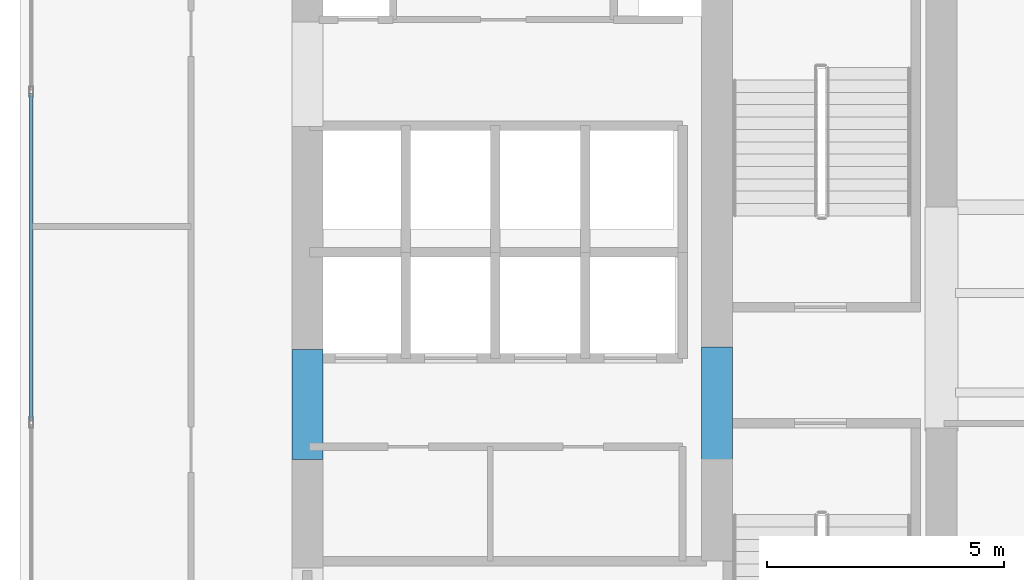
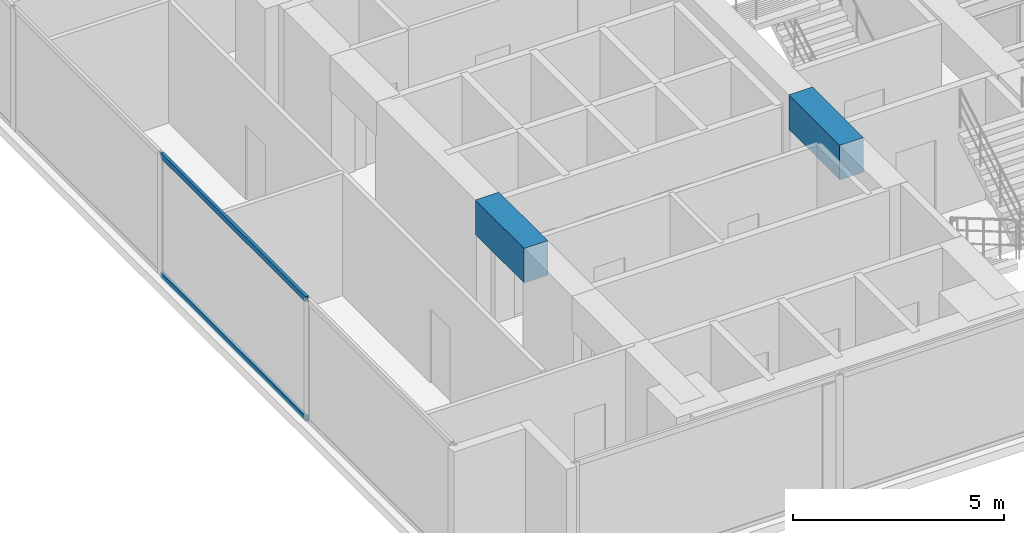
# One storey, part 3 of 26: 2 beams, 2 members, 1 element without a shape of its own.
"""IFC4 building model written with IfcOpenShell, lengths in metres."""

from ifc_helpers import new_model, si_unit, direction, frame, origin, origin_with_axes, origin_2d, place, context, subcontext, project, spatial, rectangle, hollow_rectangle, extrude, source, transform, mapped, material, layer, layer_set, material_profile, profile_set, type_object, element, aggregate, save


model = new_model("IFC4")

# Units and contexts
model_context = context("Model", 3, precision=1e-05, world=origin(), true_north=direction((0.0, 1.0)))
body_context = subcontext(model_context, "Body", "Model", "MODEL_VIEW")
ifc_project = project(units=[si_unit("LENGTHUNIT", "METRE"), si_unit("AREAUNIT", "SQUARE_METRE"), si_unit("VOLUMEUNIT", "CUBIC_METRE"), si_unit("PLANEANGLEUNIT", "RADIAN"), si_unit("MASSUNIT", "GRAM", prefix="KILO")], contexts=[model_context])

# Site, building, storey
site_placement = place(None, origin())
site = spatial("IfcSite", under=ifc_project, at=site_placement, CompositionType="ELEMENT")
building_placement = place(site_placement, origin())
building = spatial("IfcBuilding", under=site, at=building_placement, Name="Kolvaren Waterfront Exchange", CompositionType="ELEMENT")
storey_placement = place(building_placement, frame((0.0, 0.0, 122.10009765625)))
storey = spatial("IfcBuildingStorey", under=building, at=storey_placement, Name="L31", CompositionType="ELEMENT", Elevation=122.10009765625)

# Beams
ifc_material_1 = material(Name="Concrete C60/75", Category="concrete")
ifc_material_profile_1 = material_profile(ifc_material_1, rectangle(XDim=0.64990234375, YDim=1.0, at=origin_2d()), Name="RC-CB-1000x650")
ifc_profile_set_1 = profile_set([ifc_material_profile_1], Name="Concrete C60/75")
beam_type = type_object("IfcBeamType", Name="STR-CB-1000", PredefinedType="SPANDREL", material=ifc_profile_set_1)
beam_1_placement = place(storey_placement, frame((7.449951171875, 12.090087890625, 3.039794921875), z_axis=(0.0, 1.0, 0.0), x_axis=(-1.0, 0.0, 0.0)))
element("IfcBeam", 1, at=beam_1_placement, inside=storey, type_object=beam_type, Name="L31 core coupling beam 4", PredefinedType="SPANDREL", context=body_context, shape_type="SweptSolid", body=[
    extrude(rectangle(XDim=0.64990234375, YDim=1.0, at=origin_2d()), origin(), (0.0, 0.0, 1.0), 2.31982421875),
])
beam_2_placement = place(storey_placement, frame((16.074951171875, 12.0400390625, 3.039794921875), z_axis=(0.0, 1.0, 0.0), x_axis=(-1.0, 0.0, 0.0)))
element("IfcBeam", 2, at=beam_2_placement, inside=storey, type_object=beam_type, Name="L31 core coupling beam 6", PredefinedType="SPANDREL", context=body_context, shape_type="SweptSolid", body=[
    extrude(rectangle(XDim=0.64990234375, YDim=1.0, at=origin_2d()), origin(), (0.0, 0.0, 1.0), 2.419921875),
])

# Curtain wall, members
ifc_material_2 = material(Name="Anodised aluminium 6063-T6", Category="aluminium")
ifc_layer = layer(ifc_material_2, 0.219970703125, Name="Anodised aluminium 6063-T6")
ifc_layer_set = layer_set([ifc_layer], Name="Anodised aluminium 6063-T6")
curtain_wall_type = type_object("IfcCurtainWallType", Name="ARC-CW-SYS2", PredefinedType="USERDEFINED", material=ifc_layer_set)
curtain_wall_placement = place(storey_placement, origin())
curtain_wall = element("IfcCurtainWall", 3, at=curtain_wall_placement, inside=storey, type_object=curtain_wall_type, Name="L31 stick curtain wall CW2 (CW-L31-W)", ObjectType="STICK CURTAIN WALL", PredefinedType="USERDEFINED")
ifc_material_profile_2 = material_profile(ifc_material_2, hollow_rectangle(XDim=0.074951171875, YDim=0.159912109375, WallThickness=0.00439453125, at=origin_2d()), Name="ALU-TRN-160x75x4.5")
ifc_profile_set_2 = profile_set([ifc_material_profile_2], Name="Anodised aluminium 6063-T6")
member_type = type_object("IfcMemberType", Name="ARC-CWT-160", PredefinedType="USERDEFINED", material=ifc_profile_set_2)
shared_shape = source(origin_with_axes(), body_context, "Body", "SweptSolid", [
    extrude(hollow_rectangle(XDim=0.074951171875, YDim=0.159912109375, WallThickness=0.00439453125, at=origin_2d()), origin(), (0.0, 0.0, 1.0), 6.886474609375),
])
member_1_placement = place(storey_placement, frame((1.639892578125, 12.90673828125, 0.037353515625), z_axis=(0.0, 1.0, 0.0), x_axis=(-1.0, 0.0, 0.0)))
member_1 = element("IfcMember", 4, at=member_1_placement, type_object=member_type, Name="CW2 transom 2.1", ObjectType="TRANSOM", PredefinedType="USERDEFINED", context=body_context, shape_type="MappedRepresentation", body=[
    mapped(shared_shape, transform((0.0, 0.0, 0.0), x_axis=(1.0, 0.0, 0.0), y_axis=(0.0, 1.0, 0.0), z_axis=(0.0, 0.0, 1.0), scale=1.0)),
])
member_2_placement = place(storey_placement, frame((1.639892578125, 12.90673828125, 3.50244140625), z_axis=(0.0, 1.0, 0.0), x_axis=(-1.0, 0.0, 0.0)))
member_2 = element("IfcMember", 5, at=member_2_placement, type_object=member_type, Name="CW2 transom 2.2", ObjectType="TRANSOM", PredefinedType="USERDEFINED", context=body_context, shape_type="MappedRepresentation", body=[
    mapped(shared_shape, transform((0.0, 0.0, 0.0), x_axis=(1.0, 0.0, 0.0), y_axis=(0.0, 1.0, 0.0), z_axis=(0.0, 0.0, 1.0), scale=1.0)),
])
aggregate(curtain_wall, [member_1, member_2])

save(model, "model.ifc")
